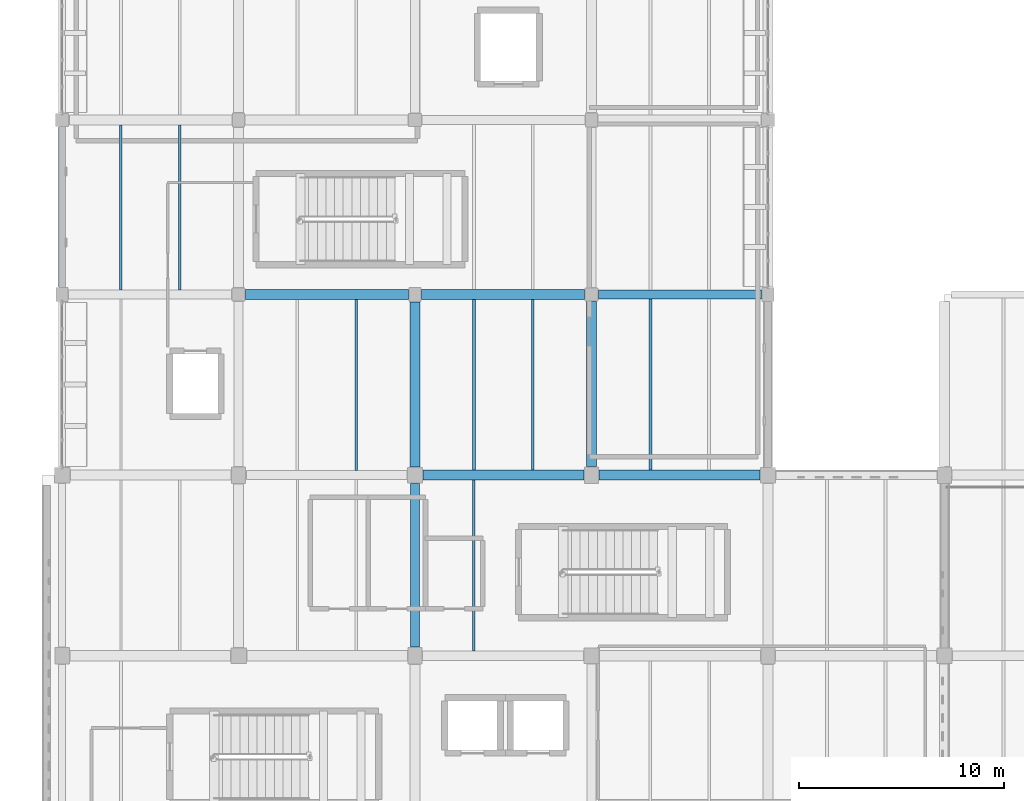
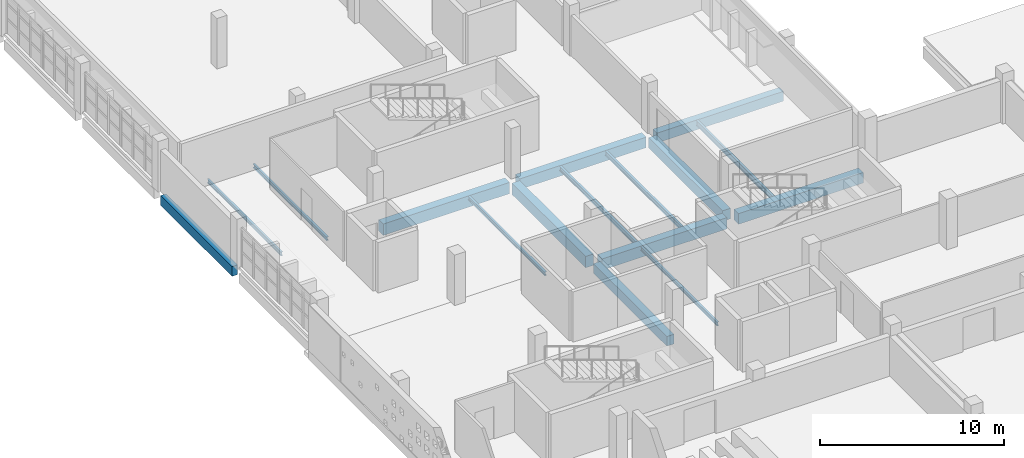
# One storey, part 13 of 93: 16 beams.
"""IFC4 building model written with IfcOpenShell, lengths in metres."""

from ifc_helpers import new_model, si_unit, direction, frame, origin, origin_2d, place, context, subcontext, project, spatial, rectangle, i_section, extrude, material, material_profile, profile_set, type_object, element, save


model = new_model("IFC4")

# Units and contexts
model_context = context("Model", 3, precision=1e-05, world=origin(), true_north=direction((0.0, 1.0)))
body_context = subcontext(model_context, "Body", "Model", "MODEL_VIEW")
ifc_project = project(units=[si_unit("LENGTHUNIT", "METRE"), si_unit("AREAUNIT", "SQUARE_METRE"), si_unit("VOLUMEUNIT", "CUBIC_METRE"), si_unit("PLANEANGLEUNIT", "RADIAN"), si_unit("MASSUNIT", "GRAM", prefix="KILO")], contexts=[model_context])

# Site, building, storey
site_placement = place(None, origin())
site = spatial("IfcSite", under=ifc_project, at=site_placement, CompositionType="ELEMENT")
building_placement = place(site_placement, origin())
building = spatial("IfcBuilding", under=site, at=building_placement, Name="Varnakota Cinema and Media Centre", CompositionType="ELEMENT")
storey_placement = place(building_placement, frame((0.0, 0.0, 12.0)))
storey = spatial("IfcBuildingStorey", under=building, at=storey_placement, Name="L03", CompositionType="ELEMENT", Elevation=12.0)

# Beams
ifc_material_1 = material(Name="Concrete M35", Category="concrete")
ifc_material_profile_1 = material_profile(ifc_material_1, rectangle(XDim=0.449951171875, YDim=0.64990234375, at=origin_2d()), Name="RCB 450x650")
ifc_profile_set_1 = profile_set([ifc_material_profile_1], Name="Concrete M35")
beam_type_1 = type_object("IfcBeamType", Name="BM-RC-450x650", PredefinedType="BEAM", material=ifc_profile_set_1)
beam_1_placement = place(storey_placement, frame((26.14990234375, 44.0, -0.5849609375), z_axis=(1.0, 0.0, 0.0), x_axis=(0.0, 1.0, 0.0)))
element("IfcBeam", 1, at=beam_1_placement, inside=storey, type_object=beam_type_1, Name="L03 girder D-E/6", PredefinedType="BEAM", context=body_context, shape_type="SweptSolid", body=[
    extrude(rectangle(XDim=0.449951171875, YDim=0.64990234375, at=origin_2d()), origin(), (0.0, 0.0, 1.0), 7.925048828125),
])
beam_2_placement = place(storey_placement, frame((17.199951171875, 26.824951171875, -0.5849609375), z_axis=(0.0, 1.0, 0.0), x_axis=(-1.0, 0.0, 0.0)))
element("IfcBeam", 2, at=beam_2_placement, inside=storey, type_object=beam_type_1, Name="L03 girder C/4-5", PredefinedType="BEAM", context=body_context, shape_type="SweptSolid", body=[
    extrude(rectangle(XDim=0.449951171875, YDim=0.64990234375, at=origin_2d()), origin(), (0.0, 0.0, 1.0), 7.97509765625),
])
ifc_material_2 = material(Name="Concrete M35", Category="concrete")
ifc_material_profile_2 = material_profile(ifc_material_2, rectangle(XDim=0.5, YDim=0.699951171875, at=origin_2d()), Name="RCB 500x700")
ifc_profile_set_2 = profile_set([ifc_material_profile_2], Name="Concrete M35")
beam_type_2 = type_object("IfcBeamType", Name="BM-RC-500x700", PredefinedType="BEAM", material=ifc_profile_set_2)
beam_3_placement = place(storey_placement, frame((26.175048828125, 35.199951171875, -0.610107421875), z_axis=(1.0, 0.0, 0.0), x_axis=(0.0, 1.0, 0.0)))
element("IfcBeam", 3, at=beam_3_placement, inside=storey, type_object=beam_type_2, Name="L03 girder D-E/5", PredefinedType="BEAM", context=body_context, shape_type="SweptSolid", body=[
    extrude(rectangle(XDim=0.5, YDim=0.699951171875, at=origin_2d()), origin(), (0.0, 0.0, 1.0), 7.824951171875),
])
beam_4_placement = place(storey_placement, frame((17.52490234375, 44.0, -0.610107421875), z_axis=(1.0, 0.0, 0.0), x_axis=(0.0, 1.0, 0.0)))
element("IfcBeam", 4, at=beam_4_placement, inside=storey, type_object=beam_type_2, Name="L03 girder C-D/6", PredefinedType="BEAM", context=body_context, shape_type="SweptSolid", body=[
    extrude(rectangle(XDim=0.5, YDim=0.699951171875, at=origin_2d()), origin(), (0.0, 0.0, 1.0), 7.925048828125),
])
beam_5_placement = place(storey_placement, frame((25.800048828125, 35.625, -0.610107421875), z_axis=(0.0, 1.0, 0.0), x_axis=(-1.0, 0.0, 0.0)))
element("IfcBeam", 5, at=beam_5_placement, inside=storey, type_object=beam_type_2, Name="L03 girder D/5-6", PredefinedType="BEAM", context=body_context, shape_type="SweptSolid", body=[
    extrude(rectangle(XDim=0.5, YDim=0.699951171875, at=origin_2d()), origin(), (0.0, 0.0, 1.0), 8.02490234375),
])
ifc_material_3 = material(Name="Concrete M35", Category="concrete")
ifc_material_profile_3 = material_profile(ifc_material_3, rectangle(XDim=0.5, YDim=0.75, at=origin_2d()), Name="RCB 500x750")
ifc_profile_set_3 = profile_set([ifc_material_profile_3], Name="Concrete M35")
beam_type_3 = type_object("IfcBeamType", Name="BM-RC-500x750", PredefinedType="BEAM", material=ifc_profile_set_3)
beam_6_placement = place(storey_placement, frame((17.60009765625, 35.199951171875, -0.635009765625), z_axis=(1.0, 0.0, 0.0), x_axis=(0.0, 1.0, 0.0)))
element("IfcBeam", 6, at=beam_6_placement, inside=storey, type_object=beam_type_3, Name="L03 girder C-D/5", PredefinedType="BEAM", context=body_context, shape_type="SweptSolid", body=[
    extrude(rectangle(XDim=0.5, YDim=0.75, at=origin_2d()), origin(), (0.0, 0.0, 1.0), 7.824951171875),
])
beam_7_placement = place(storey_placement, frame((8.949951171875, 44.0, -0.635009765625), z_axis=(1.0, 0.0, 0.0), x_axis=(0.0, 1.0, 0.0)))
element("IfcBeam", 7, at=beam_7_placement, inside=storey, type_object=beam_type_3, Name="L03 girder B-C/6", PredefinedType="BEAM", context=body_context, shape_type="SweptSolid", body=[
    extrude(rectangle(XDim=0.5, YDim=0.75, at=origin_2d()), origin(), (0.0, 0.0, 1.0), 7.925048828125),
])
beam_8_placement = place(storey_placement, frame((17.199951171875, 35.60009765625, -0.635009765625), z_axis=(0.0, 1.0, 0.0), x_axis=(-1.0, 0.0, 0.0)))
element("IfcBeam", 8, at=beam_8_placement, inside=storey, type_object=beam_type_3, Name="L03 girder C/5-6", PredefinedType="BEAM", context=body_context, shape_type="SweptSolid", body=[
    extrude(rectangle(XDim=0.5, YDim=0.75, at=origin_2d()), origin(), (0.0, 0.0, 1.0), 8.02490234375),
])
ifc_material_4 = material(Name="Concrete M40", Category="concrete")
ifc_material_profile_4 = material_profile(ifc_material_4, rectangle(XDim=0.35009765625, YDim=0.64990234375, at=origin_2d()), Name="RCB 350x650")
ifc_profile_set_4 = profile_set([ifc_material_profile_4], Name="Concrete M40")
beam_type_4 = type_object("IfcBeamType", Name="BM-SP-350x650", PredefinedType="SPANDREL", material=ifc_profile_set_4)
beam_9_placement = place(storey_placement, frame((0.0, 44.375, -0.5849609375), z_axis=(0.0, 1.0, 0.0), x_axis=(-1.0, 0.0, 0.0)))
element("IfcBeam", 9, at=beam_9_placement, inside=storey, type_object=beam_type_4, Name="L03 girder A/6-7", PredefinedType="SPANDREL", context=body_context, shape_type="SweptSolid", body=[
    extrude(rectangle(XDim=0.35009765625, YDim=0.64990234375, at=origin_2d()), origin(), (0.0, 0.0, 1.0), 7.77490234375),
])
ifc_material_5 = material(Name="Structural steel Grade 350 (E350)", Category="steel")
ifc_material_profile_5 = material_profile(ifc_material_5, i_section(OverallWidth=0.125, OverallDepth=0.25, WebThickness=0.0068359375, FlangeThickness=0.012451171875, FilletRadius=0.012939453125, at=origin_2d()), Name="ISMB 250")
ifc_profile_set_5 = profile_set([ifc_material_profile_5], Name="Structural steel Grade 350 (E350)")
beam_type_5 = type_object("IfcBeamType", Name="BM-ST-ISMB250", PredefinedType="JOIST", material=ifc_profile_set_5)
for number, where, z_axis, x_axis, name in (
    (10, (2.86669921875, 44.22509765625, -0.385009765625), (0.0, 1.0, 0.0), (-1.0, 0.0, 0.0), "L03 steel joist A-B/6-7 #1"),
    (11, (5.7333984375, 44.22509765625, -0.385009765625), (0.0, 1.0, 0.0), (-1.0, 0.0, 0.0), "L03 steel joist A-B/6-7 #2"),
):
    element("IfcBeam", number, at=place(storey_placement, frame(where, z_axis=z_axis, x_axis=x_axis)), inside=storey, type_object=beam_type_5, Name=name, PredefinedType="JOIST", context=body_context, shape_type="SweptSolid", body=[
        extrude(i_section(OverallWidth=0.125, OverallDepth=0.25, WebThickness=0.0068359375, FlangeThickness=0.012451171875, FilletRadius=0.012939453125, at=origin_2d()), origin(), (0.0, 0.0, 1.0), 8.02490234375),
    ])
for number, where, z_axis, x_axis, name in (
    (12, (14.333251953125, 35.425048828125, -0.385009765625), (0.0, 1.0, 0.0), (-1.0, 0.0, 0.0), "L03 steel joist B-C/5-6 #2"),
    (13, (20.066650390625, 26.625, -0.385009765625), (0.0, 1.0, 0.0), (-1.0, 0.0, 0.0), "L03 steel joist C-D/4-5 #1"),
):
    element("IfcBeam", number, at=place(storey_placement, frame(where, z_axis=z_axis, x_axis=x_axis)), inside=storey, type_object=beam_type_5, Name=name, PredefinedType="JOIST", context=body_context, shape_type="SweptSolid", body=[
        extrude(i_section(OverallWidth=0.125, OverallDepth=0.25, WebThickness=0.0068359375, FlangeThickness=0.012451171875, FilletRadius=0.012939453125, at=origin_2d()), origin(), (0.0, 0.0, 1.0), 8.324951171875),
    ])
ifc_material_6 = material(Name="Structural steel Grade 350 (E350)", Category="steel")
ifc_material_profile_6 = material_profile(ifc_material_6, i_section(OverallWidth=0.139892578125, OverallDepth=0.300048828125, WebThickness=0.0078125, FlangeThickness=0.01318359375, FilletRadius=0.013916015625, at=origin_2d()), Name="ISMB 300")
ifc_profile_set_6 = profile_set([ifc_material_profile_6], Name="Structural steel Grade 350 (E350)")
beam_type_6 = type_object("IfcBeamType", Name="BM-ST-ISMB300", PredefinedType="JOIST", material=ifc_profile_set_6)
for number, where, z_axis, x_axis, name in (
    (14, (20.066650390625, 35.449951171875, -0.409912109375), (0.0, 1.0, 0.0), (-1.0, 0.0, 0.0), "L03 steel joist C-D/5-6 #1"),
    (15, (22.933349609375, 35.449951171875, -0.409912109375), (0.0, 1.0, 0.0), (-1.0, 0.0, 0.0), "L03 steel joist C-D/5-6 #2"),
):
    element("IfcBeam", number, at=place(storey_placement, frame(where, z_axis=z_axis, x_axis=x_axis)), inside=storey, type_object=beam_type_6, Name=name, PredefinedType="JOIST", context=body_context, shape_type="SweptSolid", body=[
        extrude(i_section(OverallWidth=0.139892578125, OverallDepth=0.300048828125, WebThickness=0.0078125, FlangeThickness=0.01318359375, FilletRadius=0.013916015625, at=origin_2d()), origin(), (0.0, 0.0, 1.0), 8.300048828125),
    ])
ifc_material_7 = material(Name="Structural steel Grade 350 (E350)", Category="steel")
ifc_material_profile_7 = material_profile(ifc_material_7, i_section(OverallWidth=0.139892578125, OverallDepth=0.35009765625, WebThickness=0.008056640625, FlangeThickness=0.01416015625, FilletRadius=0.013916015625, at=origin_2d()), Name="ISMB 350")
ifc_profile_set_7 = profile_set([ifc_material_profile_7], Name="Structural steel Grade 350 (E350)")
beam_type_7 = type_object("IfcBeamType", Name="BM-ST-ISMB350", PredefinedType="JOIST", material=ifc_profile_set_7)
beam_10_placement = place(storey_placement, frame((28.666748046875, 35.449951171875, -0.43505859375), z_axis=(0.0, 1.0, 0.0), x_axis=(-1.0, 0.0, 0.0)))
element("IfcBeam", 16, at=beam_10_placement, inside=storey, type_object=beam_type_7, Name="L03 steel joist D-E/5-6 #1", PredefinedType="JOIST", context=body_context, shape_type="SweptSolid", body=[
    extrude(i_section(OverallWidth=0.139892578125, OverallDepth=0.35009765625, WebThickness=0.008056640625, FlangeThickness=0.01416015625, FilletRadius=0.013916015625, at=origin_2d()), origin(), (0.0, 0.0, 1.0), 8.324951171875),
])

save(model, "model.ifc")
